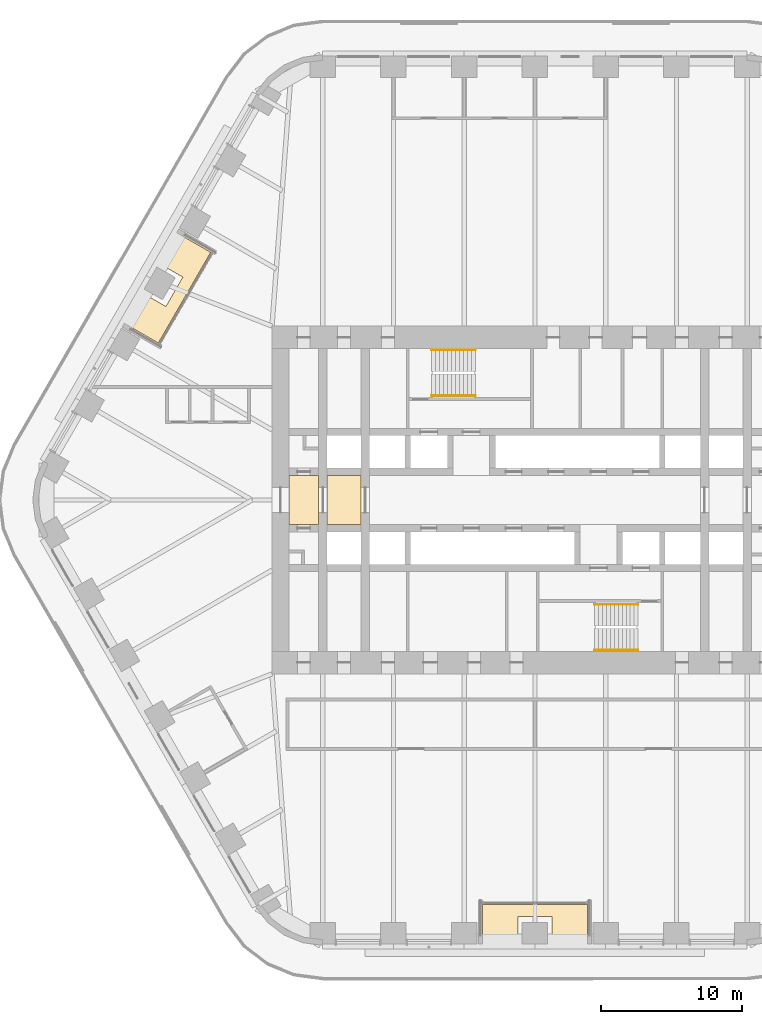
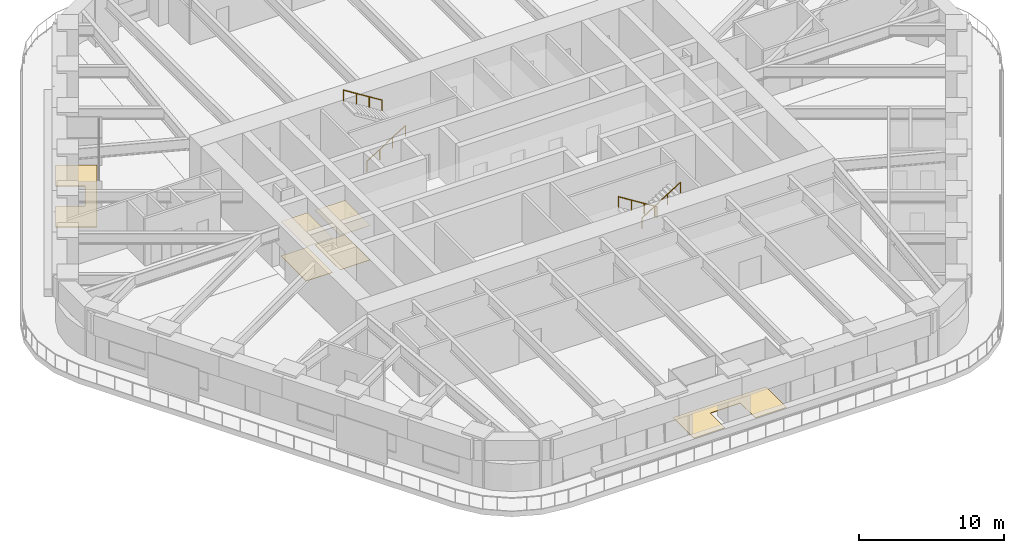
# One storey, part 22 of 24: 6 coverings, 4 railings.
"""IFC4 building model written with IfcOpenShell, lengths in metres."""

from ifc_helpers import new_model, si_unit, direction, frame, origin, origin_2d, place, context, subcontext, project, spatial, polyline, circle, outline, extrude, material, layer, layer_set, type_object, element, save


model = new_model("IFC4")

# Units and contexts
model_context = context("Model", 3, precision=1e-05, world=origin(), true_north=direction((0.0, 1.0)))
body_context = subcontext(model_context, "Body", "Model", "MODEL_VIEW")
ifc_project = project(units=[si_unit("LENGTHUNIT", "METRE"), si_unit("AREAUNIT", "SQUARE_METRE"), si_unit("VOLUMEUNIT", "CUBIC_METRE"), si_unit("PLANEANGLEUNIT", "RADIAN"), si_unit("MASSUNIT", "GRAM", prefix="KILO")], contexts=[model_context])

# Site, building, storey
site_placement = place(None, origin())
site = spatial("IfcSite", under=ifc_project, at=site_placement, CompositionType="ELEMENT")
building_placement = place(site_placement, origin())
building = spatial("IfcBuilding", under=site, at=building_placement, Name="Tarfa Lantern Tower", CompositionType="ELEMENT")
storey_placement = place(building_placement, frame((0.0, 0.0, 123.699951171875)))
storey = spatial("IfcBuildingStorey", under=building, at=storey_placement, Name="L27", CompositionType="ELEMENT", Elevation=123.699951171875)

# Coverings
ifc_material_1 = material(Name="Powder-coated aluminium panel", Category="aluminium")
ifc_layer_1 = layer(ifc_material_1, 0.030029296875)
ifc_layer_set_1 = layer_set([ifc_layer_1], Name="CL3 METAL PANEL CEILING 30")
covering_type_1 = type_object("IfcCoveringType", Name="CL3 METAL PANEL CEILING 30", PredefinedType="CEILING", material=ifc_layer_set_1)
covering_1_placement = place(storey_placement, frame((0.0, 0.0, 2.900146484375)))
element("IfcCovering", 1, at=covering_1_placement, inside=storey, type_object=covering_type_1, Name="Ceiling L27-01", PredefinedType="CEILING", context=body_context, shape_type="SweptSolid", body=[
    extrude(outline(polyline([(-17.39990234375, -1.75), (-15.300048828125, -1.75), (-15.300048828125, 1.75), (-17.39990234375, 1.75), (-17.39990234375, -1.75)])), origin(), (0.0, 0.0, 1.0), 0.02978515625),
])
covering_2_placement = place(storey_placement, frame((0.0, 0.0, 2.900146484375)))
element("IfcCovering", 2, at=covering_2_placement, inside=storey, type_object=covering_type_1, Name="Ceiling L27-02", PredefinedType="CEILING", context=body_context, shape_type="SweptSolid", body=[
    extrude(outline(polyline([(-14.699951171875, -1.75), (-12.300048828125, -1.75), (-12.300048828125, 1.75), (-14.699951171875, 1.75), (-14.699951171875, -1.75)])), origin(), (0.0, 0.0, 1.0), 0.02978515625),
])
ifc_material_2 = material(Name="Honed limestone flooring", Category="masonry")
ifc_layer_2 = layer(ifc_material_2, 0.030029296875)
ifc_layer_set_2 = layer_set([ifc_layer_2], Name="FL2 STONE FLOORING 30")
covering_type_2 = type_object("IfcCoveringType", Name="FL2 STONE FLOORING 30", PredefinedType="FLOORING", material=ifc_layer_set_2)
covering_3_placement = place(storey_placement, origin())
element("IfcCovering", 3, at=covering_3_placement, inside=storey, type_object=covering_type_2, Name="Floor finish L27-01", PredefinedType="FLOORING", context=body_context, shape_type="SweptSolid", body=[
    extrude(outline(polyline([(-17.39990234375, -1.75), (-15.300048828125, -1.75), (-15.300048828125, 1.75), (-17.39990234375, 1.75), (-17.39990234375, -1.75)])), origin(), (0.0, 0.0, 1.0), 0.030029296875),
])
covering_4_placement = place(storey_placement, origin())
element("IfcCovering", 4, at=covering_4_placement, inside=storey, type_object=covering_type_2, Name="Floor finish L27-02", PredefinedType="FLOORING", context=body_context, shape_type="SweptSolid", body=[
    extrude(outline(polyline([(-14.699951171875, -1.75), (-12.300048828125, -1.75), (-12.300048828125, 1.75), (-14.699951171875, 1.75), (-14.699951171875, -1.75)])), origin(), (0.0, 0.0, 1.0), 0.030029296875),
])

# Railings
ifc_material_3 = material(Name="Stainless steel", Category="steel")
railing_type = type_object("IfcRailingType", Name="HR1 HANDRAIL 900", PredefinedType="HANDRAIL", material=ifc_material_3)
railing_1_placement = place(storey_placement, frame((-7.300048828125, 7.3798828125, 0.175048828125)))
element("IfcRailing", 5, at=railing_1_placement, inside=storey, type_object=railing_type, Name="Handrail 1", PredefinedType="HANDRAIL", context=body_context, shape_type="SweptSolid", body=[
    extrude(circle(Radius=0.02392578125, at=origin_2d()), frame((0.0, 0.0, 0.8759765625), z_axis=(0.847998304005, 0.0, 0.529998940003), x_axis=(0.0, 1.0, 0.0)), (0.0, 0.0, 1.0), 3.632080078125),
    extrude(circle(Radius=0.02099609375, at=origin_2d()), frame((0.0, 0.0, 0.0), z_axis=(0.0, 0.0, 1.0), x_axis=(0.0, 1.0, 0.0)), (0.0, 0.0, 1.0), 0.851806640625),
    extrude(circle(Radius=0.02099609375, at=origin_2d()), frame((1.026611328125, 0.0, 0.6416015625), z_axis=(0.0, 0.0, 1.0), x_axis=(0.0, 1.0, 0.0)), (0.0, 0.0, 1.0), 0.851806640625),
    extrude(circle(Radius=0.02099609375, at=origin_2d()), frame((2.053466796875, 0.0, 1.283447265625), z_axis=(0.0, 0.0, 1.0), x_axis=(0.0, 1.0, 0.0)), (0.0, 0.0, 1.0), 0.851806640625),
    extrude(circle(Radius=0.02099609375, at=origin_2d()), frame((3.080078125, 0.0, 1.925048828125), z_axis=(0.0, 0.0, 1.0), x_axis=(0.0, 1.0, 0.0)), (0.0, 0.0, 1.0), 0.851806640625),
])
railing_2_placement = place(storey_placement, frame((-4.219970703125, 10.6201171875, 2.275146484375)))
element("IfcRailing", 6, at=railing_2_placement, inside=storey, type_object=railing_type, Name="Handrail 2", PredefinedType="HANDRAIL", context=body_context, shape_type="SweptSolid", body=[
    extrude(circle(Radius=0.02392578125, at=origin_2d()), frame((0.0, 0.0, 0.8759765625), z_axis=(-0.848028513186, 0.0, 0.529950602248), x_axis=(0.0, -1.0, 0.0)), (0.0, 0.0, 1.0), 3.632080078125),
    extrude(circle(Radius=0.02099609375, at=origin_2d()), frame((0.0, 0.0, 0.0), z_axis=(0.0, 0.0, 1.0), x_axis=(0.0, -1.0, 0.0)), (0.0, 0.0, 1.0), 0.851806640625),
    extrude(circle(Radius=0.02099609375, at=origin_2d()), frame((-1.026611328125, 0.0, 0.6416015625), z_axis=(0.0, 0.0, 1.0), x_axis=(0.0, -1.0, 0.0)), (0.0, 0.0, 1.0), 0.851806640625),
    extrude(circle(Radius=0.02099609375, at=origin_2d()), frame((-2.053466796875, 0.0, 1.283203125), z_axis=(0.0, 0.0, 1.0), x_axis=(0.0, -1.0, 0.0)), (0.0, 0.0, 1.0), 0.851806640625),
    extrude(circle(Radius=0.02099609375, at=origin_2d()), frame((-3.080078125, 0.0, 1.9248046875), z_axis=(0.0, 0.0, 1.0), x_axis=(0.0, -1.0, 0.0)), (0.0, 0.0, 1.0), 0.851806640625),
])
railing_3_placement = place(storey_placement, frame((7.300048828125, -7.3798828125, 0.175048828125)))
element("IfcRailing", 7, at=railing_3_placement, inside=storey, type_object=railing_type, Name="Handrail 1", PredefinedType="HANDRAIL", context=body_context, shape_type="SweptSolid", body=[
    extrude(circle(Radius=0.02392578125, at=origin_2d()), frame((0.0, 0.0, 0.8759765625), z_axis=(-0.847998304005, 0.0, 0.529998940003), x_axis=(0.0, -1.0, 0.0)), (0.0, 0.0, 1.0), 3.632080078125),
    extrude(circle(Radius=0.02099609375, at=origin_2d()), frame((0.0, 0.0, 0.0), z_axis=(0.0, 0.0, 1.0), x_axis=(0.0, -1.0, 0.0)), (0.0, 0.0, 1.0), 0.851806640625),
    extrude(circle(Radius=0.02099609375, at=origin_2d()), frame((-1.026611328125, 0.0, 0.6416015625), z_axis=(0.0, 0.0, 1.0), x_axis=(0.0, -1.0, 0.0)), (0.0, 0.0, 1.0), 0.851806640625),
    extrude(circle(Radius=0.02099609375, at=origin_2d()), frame((-2.053466796875, 0.0, 1.283447265625), z_axis=(0.0, 0.0, 1.0), x_axis=(0.0, -1.0, 0.0)), (0.0, 0.0, 1.0), 0.851806640625),
    extrude(circle(Radius=0.02099609375, at=origin_2d()), frame((-3.080078125, 0.0, 1.925048828125), z_axis=(0.0, 0.0, 1.0), x_axis=(0.0, -1.0, 0.0)), (0.0, 0.0, 1.0), 0.851806640625),
])
railing_4_placement = place(storey_placement, frame((4.219970703125, -10.6201171875, 2.275146484375)))
element("IfcRailing", 8, at=railing_4_placement, inside=storey, type_object=railing_type, Name="Handrail 2", PredefinedType="HANDRAIL", context=body_context, shape_type="SweptSolid", body=[
    extrude(circle(Radius=0.02392578125, at=origin_2d()), frame((0.0, 0.0, 0.8759765625), z_axis=(0.848028513186, 0.0, 0.529950602248), x_axis=(0.0, 1.0, 0.0)), (0.0, 0.0, 1.0), 3.632080078125),
    extrude(circle(Radius=0.02099609375, at=origin_2d()), frame((0.0, 0.0, 0.0), z_axis=(0.0, 0.0, 1.0), x_axis=(0.0, 1.0, 0.0)), (0.0, 0.0, 1.0), 0.851806640625),
    extrude(circle(Radius=0.02099609375, at=origin_2d()), frame((1.026611328125, 0.0, 0.6416015625), z_axis=(0.0, 0.0, 1.0), x_axis=(0.0, 1.0, 0.0)), (0.0, 0.0, 1.0), 0.851806640625),
    extrude(circle(Radius=0.02099609375, at=origin_2d()), frame((2.053466796875, 0.0, 1.283203125), z_axis=(0.0, 0.0, 1.0), x_axis=(0.0, 1.0, 0.0)), (0.0, 0.0, 1.0), 0.851806640625),
    extrude(circle(Radius=0.02099609375, at=origin_2d()), frame((3.080078125, 0.0, 1.9248046875), z_axis=(0.0, 0.0, 1.0), x_axis=(0.0, 1.0, 0.0)), (0.0, 0.0, 1.0), 0.851806640625),
])

# Coverings
ifc_material_4 = material(Name="Porcelain pavers on pedestals", Category="ceramic")
ifc_layer_3 = layer(ifc_material_4, 0.0400390625)
ifc_layer_set_3 = layer_set([ifc_layer_3], Name="LP1 LOGGIA PAVING 40")
covering_type_3 = type_object("IfcCoveringType", Name="LP1 LOGGIA PAVING 40", PredefinedType="FLOORING", material=ifc_layer_set_3)
covering_5_placement = place(storey_placement, origin())
element("IfcCovering", 9, at=covering_5_placement, inside=storey, type_object=covering_type_3, Name="Loggia paving NW", PredefinedType="FLOORING", context=body_context, shape_type="SweptSolid", body=[
    extrude(outline(polyline([(-25.427978515625, 18.95751953125), (-22.933837890625, 17.517578125), (-26.637451171875, 11.1025390625), (-29.131591796875, 12.54248046875), (-27.8798828125, 14.710693359375), (-26.1044921875, 13.685791015625), (-24.904541015625, 15.76416015625), (-26.6796875, 16.789306640625), (-25.427978515625, 18.95751953125)])), origin(), (0.0, 0.0, 1.0), 0.0400390625),
])
covering_6_placement = place(storey_placement, origin())
element("IfcCovering", 10, at=covering_6_placement, inside=storey, type_object=covering_type_3, Name="Loggia paving S", PredefinedType="FLOORING", context=body_context, shape_type="SweptSolid", body=[
    extrude(outline(polyline([(-3.70361328125, -31.5), (-3.70361328125, -28.6201171875), (3.70361328125, -28.6201171875), (3.70361328125, -31.5), (1.199951171875, -31.5), (1.199951171875, -29.449951171875), (-1.199951171875, -29.449951171875), (-1.199951171875, -31.5), (-3.70361328125, -31.5)])), origin(), (0.0, 0.0, 1.0), 0.0400390625),
])

save(model, "model.ifc")
